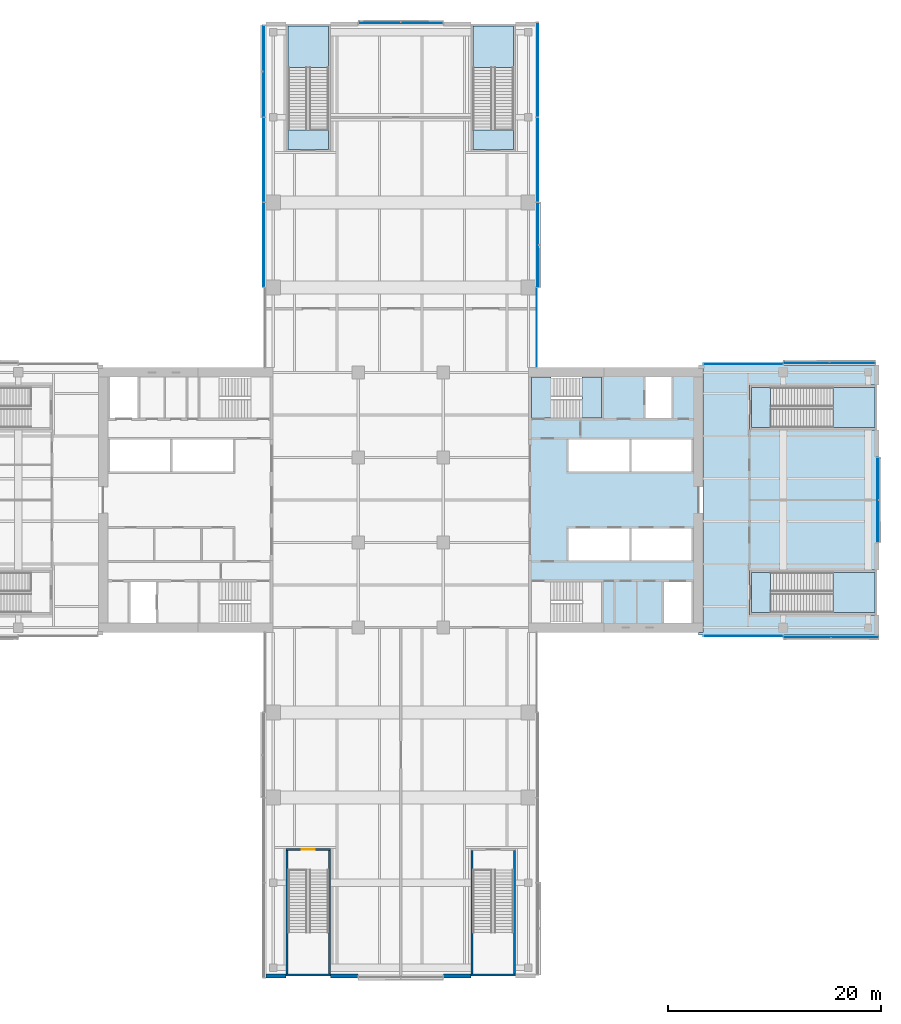
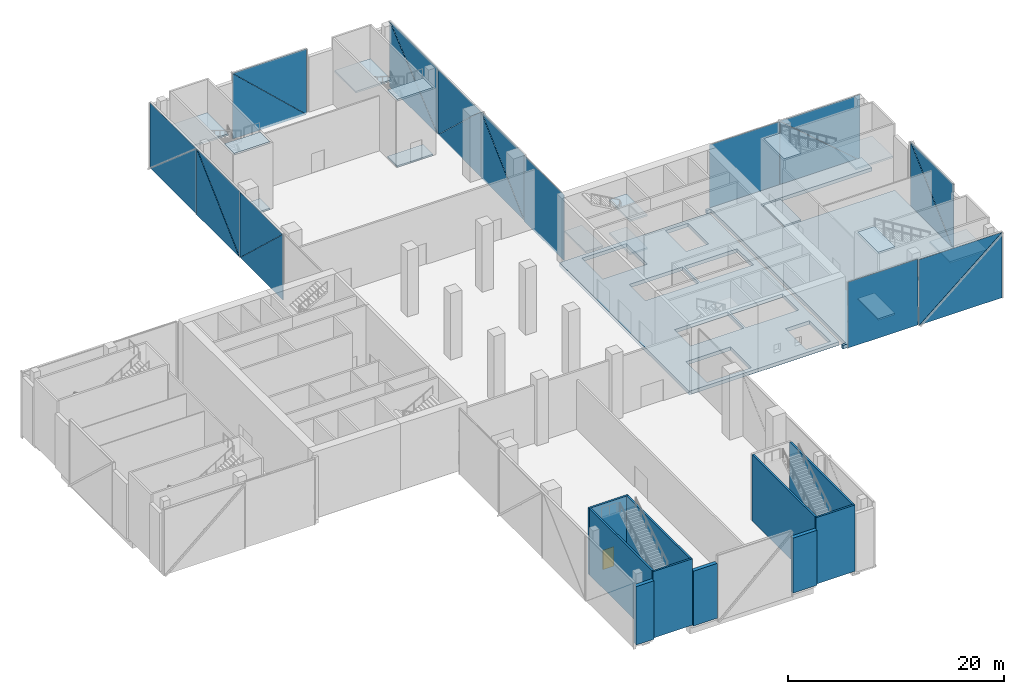
# One storey, part 13 of 25: 23 plates, 17 slabs, 10 walls, 1 door, 1 opening, 14 elements without a shape of their own.
"""IFC4 building model written with IfcOpenShell, lengths in metres."""

from ifc_helpers import new_model, si_unit, direction, frame, frame_2d, origin, place, context, subcontext, project, spatial, polyline, rectangle, outline, extrude, material, layer, layer_set, type_object, element, fill, aggregate, save


model = new_model("IFC4")

# Units and contexts
model_context = context("Model", 3, precision=1e-05, world=origin(), true_north=direction((0.0, 1.0)))
body_context = subcontext(model_context, "Body", "Model", "MODEL_VIEW")
ifc_project = project(units=[si_unit("LENGTHUNIT", "METRE"), si_unit("AREAUNIT", "SQUARE_METRE"), si_unit("VOLUMEUNIT", "CUBIC_METRE"), si_unit("PLANEANGLEUNIT", "RADIAN"), si_unit("MASSUNIT", "GRAM", prefix="KILO")], contexts=[model_context])

# Site, building, storey
site_placement = place(None, origin())
site = spatial("IfcSite", under=ifc_project, at=site_placement, CompositionType="ELEMENT")
building_placement = place(site_placement, origin())
building = spatial("IfcBuilding", under=site, at=building_placement, Name="Crosswind Convention Tower", CompositionType="ELEMENT")
storey_placement = place(building_placement, frame((0.0, 0.0, 34.0)))
storey = spatial("IfcBuildingStorey", under=building, at=storey_placement, Name="L04", CompositionType="ELEMENT", Elevation=34.0)

# Slabs
ifc_material_1 = material(Name="Concrete C40/50", Category="concrete")
ifc_layer_1 = layer(ifc_material_1, 0.39990234375)
ifc_layer_set_1 = layer_set([ifc_layer_1], Name="Concrete C40/50")
slab_type_1 = type_object("IfcSlabType", Name="Composite floor slab 400", PredefinedType="FLOOR", material=ifc_layer_set_1)
slab_1_placement = place(storey_placement, frame((0.0, 0.0, -0.39990234375)))
element("IfcSlab", 1, at=slab_1_placement, inside=storey, type_object=slab_type_1, Name="Floor slab L04 part 3", PredefinedType="FLOOR", context=body_context, shape_type="SweptSolid", body=[
    extrude(outline(polyline([(169.699951171875, 93.39990234375), (157.800048828125, 93.39990234375), (157.800048828125, 89.199951171875), (169.699951171875, 89.199951171875), (169.699951171875, 88.0), (169.699951171875, 87.300048828125), (169.0, 87.300048828125), (153.0, 87.300048828125), (153.0, 87.550048828125), (153.449951171875, 87.550048828125), (153.449951171875, 112.449951171875), (153.0, 112.449951171875), (153.0, 112.699951171875), (169.0, 112.699951171875), (169.699951171875, 112.699951171875), (169.699951171875, 112.0), (169.699951171875, 110.800048828125), (157.800048828125, 110.800048828125), (157.800048828125, 106.60009765625), (169.699951171875, 106.60009765625), (169.699951171875, 93.39990234375)])), origin(), (0.0, 0.0, 1.0), 0.39990234375),
])
ifc_layer_2 = layer(ifc_material_1, 0.39990234375)
ifc_layer_set_2 = layer_set([ifc_layer_2], Name="Concrete C40/50")
slab_type_2 = type_object("IfcSlabType", Name="Concrete core floor slab 400", PredefinedType="FLOOR", material=ifc_layer_set_2)
slab_2_placement = place(storey_placement, frame((0.0, 0.0, -0.39990234375)))
element("IfcSlab", 2, at=slab_2_placement, inside=storey, type_object=slab_type_2, Name="Core floor slab E L04", PredefinedType="FLOOR", context=body_context, shape_type="SweptSolid", body=[
    extrude(outline(polyline([(137.0, 88.0), (153.0, 88.0), (153.0, 112.0), (137.0, 112.0), (137.0, 88.0)]), holes=[polyline([(146.5, 102.699951171875), (146.5, 105.699951171875), (140.800048828125, 105.699951171875), (140.800048828125, 102.699951171875), (146.5, 102.699951171875)]), polyline([(152.35009765625, 102.699951171875), (152.35009765625, 105.699951171875), (146.699951171875, 105.699951171875), (146.699951171875, 102.699951171875), (152.35009765625, 102.699951171875)]), polyline([(146.5, 94.300048828125), (146.5, 97.300048828125), (140.800048828125, 97.300048828125), (140.800048828125, 94.300048828125), (146.5, 94.300048828125)]), polyline([(152.35009765625, 94.300048828125), (152.35009765625, 97.300048828125), (146.699951171875, 97.300048828125), (146.699951171875, 94.300048828125), (152.35009765625, 94.300048828125)]), polyline([(150.449951171875, 107.699951171875), (150.449951171875, 111.550048828125), (148.050048828125, 111.550048828125), (148.050048828125, 107.699951171875), (150.449951171875, 107.699951171875)]), polyline([(152.35009765625, 88.449951171875), (152.35009765625, 92.300048828125), (149.75, 92.300048828125), (149.75, 88.449951171875), (152.35009765625, 88.449951171875)]), polyline([(143.89990234375, 107.699951171875), (143.89990234375, 111.550048828125), (139.14990234375, 111.550048828125), (139.14990234375, 107.699951171875), (143.89990234375, 107.699951171875)]), polyline([(143.89990234375, 88.449951171875), (143.89990234375, 92.300048828125), (139.14990234375, 92.300048828125), (139.14990234375, 88.449951171875), (143.89990234375, 88.449951171875)])]), origin(), (0.0, 0.0, 1.0), 0.39990234375),
])

# Stair, slabs
stair_type_1 = type_object("IfcStairType", Name="PODIUM EXIT STAIR 7500 RISE", PredefinedType="HALF_TURN_STAIR", material=ifc_material_1)
stair_1_placement = place(storey_placement, origin())
stair_1 = element("IfcStair", 3, at=stair_1_placement, inside=storey, type_object=stair_type_1, Name="Exit stair E1 L04", ObjectType="ST11", PredefinedType="HALF_TURN_STAIR")
ifc_layer_3 = layer(ifc_material_1, 0.199951171875)
ifc_layer_set_3 = layer_set([ifc_layer_3], Name="Concrete C40/50")
slab_type_3 = type_object("IfcSlabType", Name="PODIUM STAIR LANDING 200 FOR 22 RISERS", PredefinedType="LANDING", material=ifc_layer_set_3)
slab_3_placement = place(storey_placement, frame((0.0, 0.0, 3.550048828125)))
slab_3 = element("IfcSlab", 4, at=slab_3_placement, type_object=slab_type_3, Name="ST11 landing 1", PredefinedType="LANDING", context=body_context, shape_type="SweptSolid", body=[
    extrude(outline(polyline([(165.679931640625, 89.39990234375), (169.60009765625, 89.39990234375), (169.60009765625, 93.199951171875), (165.679931640625, 93.199951171875), (165.679931640625, 89.39990234375)])), origin(), (0.0, 0.0, 1.0), 0.199951171875),
])
slab_4_placement = place(storey_placement, frame((0.0, 0.0, -0.199951171875)))
slab_4 = element("IfcSlab", 5, at=slab_4_placement, type_object=slab_type_3, Name="ST11 landing 2", PredefinedType="LANDING", context=body_context, shape_type="SweptSolid", body=[
    extrude(outline(polyline([(158.0, 89.39990234375), (159.800048828125, 89.39990234375), (159.800048828125, 93.199951171875), (158.0, 93.199951171875), (158.0, 89.39990234375)])), origin(), (0.0, 0.0, 1.0), 0.199951171875),
])
slab_5_placement = place(storey_placement, frame((0.0, 0.0, 7.300048828125)))
slab_5 = element("IfcSlab", 6, at=slab_5_placement, type_object=slab_type_3, Name="ST11 landing 3", PredefinedType="LANDING", context=body_context, shape_type="SweptSolid", body=[
    extrude(outline(polyline([(158.0, 89.39990234375), (159.800048828125, 89.39990234375), (159.800048828125, 93.199951171875), (158.0, 93.199951171875), (158.0, 89.39990234375)])), origin(), (0.0, 0.0, 1.0), 0.199951171875),
])
aggregate(stair_1, [slab_3, slab_4, slab_5])

stair_2_placement = place(storey_placement, origin())
stair_2 = element("IfcStair", 7, at=stair_2_placement, inside=storey, type_object=stair_type_1, Name="Exit stair E2 L04", ObjectType="ST11", PredefinedType="HALF_TURN_STAIR")
slab_6_placement = place(storey_placement, frame((0.0, 0.0, 3.550048828125)))
slab_6 = element("IfcSlab", 8, at=slab_6_placement, type_object=slab_type_3, Name="ST11 landing 1", PredefinedType="LANDING", context=body_context, shape_type="SweptSolid", body=[
    extrude(outline(polyline([(165.679931640625, 106.800048828125), (169.60009765625, 106.800048828125), (169.60009765625, 110.60009765625), (165.679931640625, 110.60009765625), (165.679931640625, 106.800048828125)])), origin(), (0.0, 0.0, 1.0), 0.199951171875),
])
slab_7_placement = place(storey_placement, frame((0.0, 0.0, -0.199951171875)))
slab_7 = element("IfcSlab", 9, at=slab_7_placement, type_object=slab_type_3, Name="ST11 landing 2", PredefinedType="LANDING", context=body_context, shape_type="SweptSolid", body=[
    extrude(outline(polyline([(158.0, 106.800048828125), (159.800048828125, 106.800048828125), (159.800048828125, 110.60009765625), (158.0, 110.60009765625), (158.0, 106.800048828125)])), origin(), (0.0, 0.0, 1.0), 0.199951171875),
])
slab_8_placement = place(storey_placement, frame((0.0, 0.0, 7.300048828125)))
slab_8 = element("IfcSlab", 10, at=slab_8_placement, type_object=slab_type_3, Name="ST11 landing 3", PredefinedType="LANDING", context=body_context, shape_type="SweptSolid", body=[
    extrude(outline(polyline([(158.0, 106.800048828125), (159.800048828125, 106.800048828125), (159.800048828125, 110.60009765625), (158.0, 110.60009765625), (158.0, 106.800048828125)])), origin(), (0.0, 0.0, 1.0), 0.199951171875),
])
aggregate(stair_2, [slab_6, slab_7, slab_8])

stair_3_placement = place(storey_placement, origin())
stair_3 = element("IfcStair", 11, at=stair_3_placement, inside=storey, type_object=stair_type_1, Name="Exit stair N1 L04", ObjectType="ST11", PredefinedType="HALF_TURN_STAIR")
slab_9_placement = place(storey_placement, frame((0.0, 0.0, 3.550048828125)))
slab_9 = element("IfcSlab", 12, at=slab_9_placement, type_object=slab_type_3, Name="ST11 landing 1", PredefinedType="LANDING", context=body_context, shape_type="SweptSolid", body=[
    extrude(outline(polyline([(118.199951171875, 140.679931640625), (118.199951171875, 144.60009765625), (114.39990234375, 144.60009765625), (114.39990234375, 140.679931640625), (118.199951171875, 140.679931640625)])), origin(), (0.0, 0.0, 1.0), 0.199951171875),
])
slab_10_placement = place(storey_placement, frame((0.0, 0.0, -0.199951171875)))
slab_10 = element("IfcSlab", 13, at=slab_10_placement, type_object=slab_type_3, Name="ST11 landing 2", PredefinedType="LANDING", context=body_context, shape_type="SweptSolid", body=[
    extrude(outline(polyline([(118.199951171875, 133.0), (118.199951171875, 134.800048828125), (114.39990234375, 134.800048828125), (114.39990234375, 133.0), (118.199951171875, 133.0)])), origin(), (0.0, 0.0, 1.0), 0.199951171875),
])
slab_11_placement = place(storey_placement, frame((0.0, 0.0, 7.300048828125)))
slab_11 = element("IfcSlab", 14, at=slab_11_placement, type_object=slab_type_3, Name="ST11 landing 3", PredefinedType="LANDING", context=body_context, shape_type="SweptSolid", body=[
    extrude(outline(polyline([(118.199951171875, 133.0), (118.199951171875, 134.800048828125), (114.39990234375, 134.800048828125), (114.39990234375, 133.0), (118.199951171875, 133.0)])), origin(), (0.0, 0.0, 1.0), 0.199951171875),
])
aggregate(stair_3, [slab_9, slab_10, slab_11])

stair_4_placement = place(storey_placement, origin())
stair_4 = element("IfcStair", 15, at=stair_4_placement, inside=storey, type_object=stair_type_1, Name="Exit stair N2 L04", ObjectType="ST11", PredefinedType="HALF_TURN_STAIR")
slab_12_placement = place(storey_placement, frame((0.0, 0.0, 3.550048828125)))
slab_12 = element("IfcSlab", 16, at=slab_12_placement, type_object=slab_type_3, Name="ST11 landing 1", PredefinedType="LANDING", context=body_context, shape_type="SweptSolid", body=[
    extrude(outline(polyline([(135.60009765625, 140.679931640625), (135.60009765625, 144.60009765625), (131.800048828125, 144.60009765625), (131.800048828125, 140.679931640625), (135.60009765625, 140.679931640625)])), origin(), (0.0, 0.0, 1.0), 0.199951171875),
])
slab_13_placement = place(storey_placement, frame((0.0, 0.0, -0.199951171875)))
slab_13 = element("IfcSlab", 17, at=slab_13_placement, type_object=slab_type_3, Name="ST11 landing 2", PredefinedType="LANDING", context=body_context, shape_type="SweptSolid", body=[
    extrude(outline(polyline([(135.60009765625, 133.0), (135.60009765625, 134.800048828125), (131.800048828125, 134.800048828125), (131.800048828125, 133.0), (135.60009765625, 133.0)])), origin(), (0.0, 0.0, 1.0), 0.199951171875),
])
slab_14_placement = place(storey_placement, frame((0.0, 0.0, 7.300048828125)))
slab_14 = element("IfcSlab", 18, at=slab_14_placement, type_object=slab_type_3, Name="ST11 landing 3", PredefinedType="LANDING", context=body_context, shape_type="SweptSolid", body=[
    extrude(outline(polyline([(135.60009765625, 133.0), (135.60009765625, 134.800048828125), (131.800048828125, 134.800048828125), (131.800048828125, 133.0), (135.60009765625, 133.0)])), origin(), (0.0, 0.0, 1.0), 0.199951171875),
])
aggregate(stair_4, [slab_12, slab_13, slab_14])

stair_type_2 = type_object("IfcStairType", Name="Exit stair 1800 wide, 4 flights of 11 risers", PredefinedType="HALF_TURN_STAIR", material=ifc_material_1)
stair_5_placement = place(storey_placement, origin())
stair_5 = element("IfcStair", 19, at=stair_5_placement, inside=storey, type_object=stair_type_2, Name="Exit stair ST1 L04", ObjectType="ST6", PredefinedType="HALF_TURN_STAIR")
ifc_layer_4 = layer(ifc_material_1, 0.199951171875)
ifc_layer_set_4 = layer_set([ifc_layer_4], Name="Concrete C40/50")
slab_type_4 = type_object("IfcSlabType", Name="Stair landing 200", PredefinedType="LANDING", material=ifc_layer_set_4)
slab_15_placement = place(storey_placement, frame((0.0, 0.0, 1.675048828125)))
slab_15 = element("IfcSlab", 20, at=slab_15_placement, type_object=slab_type_4, Name="ST1 landing 1", PredefinedType="LANDING", context=body_context, shape_type="SweptSolid", body=[
    extrude(outline(polyline([(143.89990234375, 107.699951171875), (143.89990234375, 111.550048828125), (142.050048828125, 111.550048828125), (142.050048828125, 107.699951171875), (143.89990234375, 107.699951171875)])), origin(), (0.0, 0.0, 1.0), 0.199951171875),
])
slab_16_placement = place(storey_placement, frame((0.0, 0.0, 3.550048828125)))
slab_16 = element("IfcSlab", 21, at=slab_16_placement, type_object=slab_type_4, Name="ST1 landing 2", PredefinedType="LANDING", context=body_context, shape_type="SweptSolid", body=[
    extrude(outline(polyline([(139.14990234375, 107.699951171875), (139.14990234375, 111.550048828125), (137.300048828125, 111.550048828125), (137.300048828125, 107.699951171875), (139.14990234375, 107.699951171875)])), origin(), (0.0, 0.0, 1.0), 0.199951171875),
])
slab_17_placement = place(storey_placement, frame((0.0, 0.0, 5.425048828125)))
slab_17 = element("IfcSlab", 22, at=slab_17_placement, type_object=slab_type_4, Name="ST1 landing 3", PredefinedType="LANDING", context=body_context, shape_type="SweptSolid", body=[
    extrude(outline(polyline([(143.89990234375, 107.699951171875), (143.89990234375, 111.550048828125), (142.050048828125, 111.550048828125), (142.050048828125, 107.699951171875), (143.89990234375, 107.699951171875)])), origin(), (0.0, 0.0, 1.0), 0.199951171875),
])
aggregate(stair_5, [slab_15, slab_16, slab_17])

# Curtain wall, plate
ifc_material_2 = material(Name="Aluminium unitised curtain wall", Category="aluminium")
curtain_wall_type_1 = type_object("IfcCurtainWallType", Name="CORE END SLOT WALL 160", PredefinedType="USERDEFINED", material=ifc_material_2)
curtain_wall_1_placement = place(storey_placement, origin())
curtain_wall_1 = element("IfcCurtainWall", 23, at=curtain_wall_1_placement, inside=storey, type_object=curtain_wall_type_1, Name="CW6 L04 E-N.1-2 slot", ObjectType="UNITISED", PredefinedType="USERDEFINED")
ifc_material_3 = material(Name="Laminated insulating glass unit", Category="glass")
ifc_layer_5 = layer(ifc_material_3, 0.02587890625)
ifc_layer_set_5 = layer_set([ifc_layer_5], Name="TRIANGULAR GLASS PANEL 26")
plate_type_1 = type_object("IfcPlateType", Name="TRIANGULAR GLASS PANEL 26", PredefinedType="CURTAIN_PANEL", material=ifc_layer_set_5)
plate_1_placement = place(storey_placement, frame((160.949951171875, 112.807373046875, -0.39990234375), z_axis=(0.0, 0.999999922678, 0.000393249191), x_axis=(-1.0, 0.0, 0.0)))
plate_1 = element("IfcPlate", 24, at=plate_1_placement, type_object=plate_type_1, Name="CW6 panel 1.1", PredefinedType="CURTAIN_PANEL", context=body_context, shape_type="SweptSolid", body=[
    extrude(outline(polyline([(0.0, 0.0), (7.449951171875, 0.0), (7.449951171875, 7.449951747923642), (0.0, 7.449951747923642), (0.0, 0.0)])), origin(), (0.0, 0.0, -1.0), 0.02587890625),
])
aggregate(curtain_wall_1, [plate_1])

curtain_wall_2_placement = place(storey_placement, origin())
curtain_wall_2 = element("IfcCurtainWall", 25, at=curtain_wall_2_placement, inside=storey, type_object=curtain_wall_type_1, Name="CW6 L04 N-E.1-1 slot", ObjectType="UNITISED", PredefinedType="USERDEFINED")
plate_2_placement = place(storey_placement, frame((137.807373046875, 112.5, -0.39990234375), z_axis=(0.999999922678, 0.0, 0.000393249191), x_axis=(0.0, 1.0, 0.0)))
plate_2 = element("IfcPlate", 26, at=plate_2_placement, type_object=plate_type_1, Name="CW6 panel 1.1", PredefinedType="CURTAIN_PANEL", context=body_context, shape_type="SweptSolid", body=[
    extrude(outline(polyline([(0.0, 0.0), (7.449951171875, 0.0), (7.449951171875, 7.449951747923642), (0.0, 7.449951747923642), (0.0, 0.0)])), origin(), (0.0, 0.0, -1.0), 0.02587890625),
])
aggregate(curtain_wall_2, [plate_2])

curtain_wall_3_placement = place(storey_placement, origin())
curtain_wall_3 = element("IfcCurtainWall", 27, at=curtain_wall_3_placement, inside=storey, type_object=curtain_wall_type_1, Name="CW6 L04 E-S.2-1 slot", ObjectType="UNITISED", PredefinedType="USERDEFINED")
plate_3_placement = place(storey_placement, frame((153.5, 87.192626953125, -0.39990234375), z_axis=(0.0, -0.999999922678, 0.000393249191), x_axis=(1.0, 0.0, 0.0)))
plate_3 = element("IfcPlate", 28, at=plate_3_placement, type_object=plate_type_1, Name="CW6 panel 1.1", PredefinedType="CURTAIN_PANEL", context=body_context, shape_type="SweptSolid", body=[
    extrude(outline(polyline([(0.0, 0.0), (7.449951171875, 0.0), (7.449951171875, 7.449951747923642), (0.0, 7.449951747923642), (0.0, 0.0)])), origin(), (0.0, 0.0, -1.0), 0.02587890625),
])
aggregate(curtain_wall_3, [plate_3])

# Curtain wall, plates
curtain_wall_type_2 = type_object("IfcCurtainWallType", Name="PODIUM UNITISED WALL 300", PredefinedType="USERDEFINED", material=ifc_material_2)
curtain_wall_4_placement = place(storey_placement, origin())
curtain_wall_4 = element("IfcCurtainWall", 29, at=curtain_wall_4_placement, inside=storey, type_object=curtain_wall_type_2, Name="CW1 L04 E-TIP 1", ObjectType="UNITISED", PredefinedType="USERDEFINED")
ifc_layer_6 = layer(ifc_material_3, 0.035888671875)
ifc_layer_set_6 = layer_set([ifc_layer_6], Name="TRIANGULAR GLASS PANEL 36")
plate_type_2 = type_object("IfcPlateType", Name="TRIANGULAR GLASS PANEL 36", PredefinedType="CURTAIN_PANEL", material=ifc_layer_set_6)
plate_4_placement = place(storey_placement, frame((169.887451171875, 103.9599609375, -0.39990234375), z_axis=(0.999999921762, 0.0, 0.000395569589), x_axis=(-0.000395569589, 0.0, 0.999999921762)))
plate_4 = element("IfcPlate", 30, at=plate_4_placement, type_object=plate_type_2, Name="CW1 panel 1.1", PredefinedType="CURTAIN_PANEL", context=body_context, shape_type="SweptSolid", body=[
    extrude(outline(polyline([(0.0, 0.0), (7.406250579447663, 0.0), (0.0, 7.9052734375), (0.0, 0.0)])), origin(), (0.0, 0.0, -1.0), 0.035888671875),
])
plate_5_placement = place(storey_placement, frame((169.922607421875, 96.0400390625, 7.02001953125), z_axis=(0.999999921762, 0.0, 0.000395569589), x_axis=(0.000395569589, 0.0, -0.999999921762)))
plate_5 = element("IfcPlate", 31, at=plate_5_placement, type_object=plate_type_2, Name="CW1 panel 1.2", PredefinedType="CURTAIN_PANEL", context=body_context, shape_type="SweptSolid", body=[
    extrude(outline(polyline([(0.0, 0.0), (7.406250579447663, 0.0), (0.0, 7.9052734375), (0.0, 0.0)])), origin(), (0.0, 0.0, -1.0), 0.035888671875),
])
aggregate(curtain_wall_4, [plate_4, plate_5])

curtain_wall_5_placement = place(storey_placement, origin())
curtain_wall_5 = element("IfcCurtainWall", 32, at=curtain_wall_5_placement, inside=storey, type_object=curtain_wall_type_2, Name="CW1 L04 E-N 1", ObjectType="UNITISED", PredefinedType="USERDEFINED")
plate_6_placement = place(storey_placement, frame((161.0400390625, 112.887451171875, -0.39990234375), z_axis=(0.0, 0.999999921773, 0.000395543512), x_axis=(0.0, -0.000395543512, 0.999999921773)))
plate_6 = element("IfcPlate", 33, at=plate_6_placement, type_object=plate_type_2, Name="CW1 panel 1.1", PredefinedType="CURTAIN_PANEL", context=body_context, shape_type="SweptSolid", body=[
    extrude(outline(polyline([(0.0, 0.0), (7.406738860659464, 0.0), (0.0, 8.564697265625), (0.0, 0.0)])), origin(), (0.0, 0.0, -1.0), 0.035888671875),
])
plate_7_placement = place(storey_placement, frame((169.6201171875, 112.922607421875, 7.02001953125), z_axis=(0.0, 0.999999921773, 0.000395543512), x_axis=(0.0, 0.000395543512, -0.999999921773)))
plate_7 = element("IfcPlate", 34, at=plate_7_placement, type_object=plate_type_2, Name="CW1 panel 1.2", PredefinedType="CURTAIN_PANEL", context=body_context, shape_type="SweptSolid", body=[
    extrude(outline(polyline([(0.0, 0.0), (7.406738860659464, 0.0), (0.0, 8.56494140625), (0.0, 0.0)])), origin(), (0.0, 0.0, -1.0), 0.035888671875),
])
aggregate(curtain_wall_5, [plate_6, plate_7])

curtain_wall_6_placement = place(storey_placement, origin())
curtain_wall_6 = element("IfcCurtainWall", 35, at=curtain_wall_6_placement, inside=storey, type_object=curtain_wall_type_2, Name="CW1 L04 N-E 1", ObjectType="UNITISED", PredefinedType="USERDEFINED")
plate_8_placement = place(storey_placement, frame((137.887451171875, 127.9599609375, -0.39990234375), z_axis=(0.999999921762, 0.0, 0.000395569589), x_axis=(-0.000395569589, 0.0, 0.999999921762)))
plate_8 = element("IfcPlate", 36, at=plate_8_placement, type_object=plate_type_2, Name="CW1 panel 1.1", PredefinedType="CURTAIN_PANEL", context=body_context, shape_type="SweptSolid", body=[
    extrude(outline(polyline([(0.0, 0.0), (7.406250579447663, 0.0), (0.0, 7.9052734375), (0.0, 0.0)])), origin(), (0.0, 0.0, -1.0), 0.035888671875),
])
plate_9_placement = place(storey_placement, frame((137.922607421875, 120.0400390625, 7.02001953125), z_axis=(0.999999921762, 0.0, 0.000395569589), x_axis=(0.000395569589, 0.0, -0.999999921762)))
plate_9 = element("IfcPlate", 37, at=plate_9_placement, type_object=plate_type_2, Name="CW1 panel 1.2", PredefinedType="CURTAIN_PANEL", context=body_context, shape_type="SweptSolid", body=[
    extrude(outline(polyline([(0.0, 0.0), (7.406250579447663, 0.0), (0.0, 7.9052734375), (0.0, 0.0)])), origin(), (0.0, 0.0, -1.0), 0.035888671875),
])
plate_10_placement = place(storey_placement, frame((137.884521484375, 135.9599609375, 7.02001953125), z_axis=(0.999999921762, 0.0, 0.000395569589), x_axis=(0.0, -1.0, 0.0)))
plate_10 = element("IfcPlate", 38, at=plate_10_placement, type_object=plate_type_2, Name="CW1 panel 2.1", PredefinedType="CURTAIN_PANEL", context=body_context, shape_type="SweptSolid", body=[
    extrude(outline(polyline([(0.0, 0.0), (7.9052734375, 0.0), (0.0, 7.406250579447663), (0.0, 0.0)])), origin(), (0.0, 0.0, -1.0), 0.035888671875),
])
plate_11_placement = place(storey_placement, frame((137.925537109375, 128.0400390625, -0.39990234375), z_axis=(0.999999921762, 0.0, 0.000395569589), x_axis=(0.0, 1.0, 0.0)))
plate_11 = element("IfcPlate", 39, at=plate_11_placement, type_object=plate_type_2, Name="CW1 panel 2.2", PredefinedType="CURTAIN_PANEL", context=body_context, shape_type="SweptSolid", body=[
    extrude(outline(polyline([(0.0, 0.0), (7.9052734375, 0.0), (0.0, 7.406250579447663), (0.0, 0.0)])), origin(), (0.0, 0.0, -1.0), 0.035888671875),
])
plate_12_placement = place(storey_placement, frame((137.887451171875, 144.905029296875, -0.39990234375), z_axis=(0.999999921778, 0.0, 0.000395530474), x_axis=(-0.000395530474, 0.0, 0.999999921778)))
plate_12 = element("IfcPlate", 40, at=plate_12_placement, type_object=plate_type_2, Name="CW1 panel 3.1", PredefinedType="CURTAIN_PANEL", context=body_context, shape_type="SweptSolid", body=[
    extrude(outline(polyline([(0.0, 0.0), (7.406983001265367, 0.0), (0.0, 8.849365234375002), (0.0, 0.0)])), origin(), (0.0, 0.0, -1.0), 0.035888671875),
])
plate_13_placement = place(storey_placement, frame((137.922607421875, 136.0400390625, 7.02001953125), z_axis=(0.999999921778, 0.0, 0.000395530474), x_axis=(0.000395530474, 0.0, -0.999999921778)))
plate_13 = element("IfcPlate", 41, at=plate_13_placement, type_object=plate_type_2, Name="CW1 panel 3.2", PredefinedType="CURTAIN_PANEL", context=body_context, shape_type="SweptSolid", body=[
    extrude(outline(polyline([(0.0, 0.0), (7.406983001265367, 0.0), (0.0, 8.849365234375002), (0.0, 0.0)])), origin(), (0.0, 0.0, -1.0), 0.035888671875),
])
aggregate(curtain_wall_6, [plate_8, plate_9, plate_10, plate_11, plate_12, plate_13])

curtain_wall_7_placement = place(storey_placement, origin())
curtain_wall_7 = element("IfcCurtainWall", 42, at=curtain_wall_7_placement, inside=storey, type_object=curtain_wall_type_2, Name="CW1 L04 N-TIP 1", ObjectType="UNITISED", PredefinedType="USERDEFINED")
plate_14_placement = place(storey_placement, frame((121.0400390625, 144.887451171875, -0.39990234375), z_axis=(0.0, 0.999999921762, 0.000395569589), x_axis=(0.0, -0.000395569589, 0.999999921762)))
plate_14 = element("IfcPlate", 43, at=plate_14_placement, type_object=plate_type_2, Name="CW1 panel 1.1", PredefinedType="CURTAIN_PANEL", context=body_context, shape_type="SweptSolid", body=[
    extrude(outline(polyline([(0.0, 0.0), (7.406250579447663, 0.0), (0.0, 7.9052734375), (0.0, 0.0)])), origin(), (0.0, 0.0, -1.0), 0.035888671875),
])
plate_15_placement = place(storey_placement, frame((128.9599609375, 144.922607421875, 7.02001953125), z_axis=(0.0, 0.999999921762, 0.000395569589), x_axis=(0.0, 0.000395569589, -0.999999921762)))
plate_15 = element("IfcPlate", 44, at=plate_15_placement, type_object=plate_type_2, Name="CW1 panel 1.2", PredefinedType="CURTAIN_PANEL", context=body_context, shape_type="SweptSolid", body=[
    extrude(outline(polyline([(0.0, 0.0), (7.406250579447663, 0.0), (0.0, 7.9052734375), (0.0, 0.0)])), origin(), (0.0, 0.0, -1.0), 0.035888671875),
])
aggregate(curtain_wall_7, [plate_14, plate_15])

curtain_wall_8_placement = place(storey_placement, origin())
curtain_wall_8 = element("IfcCurtainWall", 45, at=curtain_wall_8_placement, inside=storey, type_object=curtain_wall_type_2, Name="CW1 L04 N-W 1", ObjectType="UNITISED", PredefinedType="USERDEFINED")
plate_16_placement = place(storey_placement, frame((112.112548828125, 136.0400390625, -0.39990234375), z_axis=(-0.999999921773, 0.0, 0.000395543512), x_axis=(0.000395543512, 0.0, 0.999999921773)))
plate_16 = element("IfcPlate", 46, at=plate_16_placement, type_object=plate_type_2, Name="CW1 panel 1.1", PredefinedType="CURTAIN_PANEL", context=body_context, shape_type="SweptSolid", body=[
    extrude(outline(polyline([(0.0, 0.0), (7.406738860659464, 0.0), (0.0, 8.564697265625), (0.0, 0.0)])), origin(), (0.0, 0.0, -1.0), 0.035888671875),
])
plate_17_placement = place(storey_placement, frame((112.077392578125, 144.6201171875, 7.02001953125), z_axis=(-0.999999921773, 0.0, 0.000395543512), x_axis=(-0.000395543512, 0.0, -0.999999921773)))
plate_17 = element("IfcPlate", 47, at=plate_17_placement, type_object=plate_type_2, Name="CW1 panel 1.2", PredefinedType="CURTAIN_PANEL", context=body_context, shape_type="SweptSolid", body=[
    extrude(outline(polyline([(0.0, 0.0), (7.406738860659464, 0.0), (0.0, 8.56494140625), (0.0, 0.0)])), origin(), (0.0, 0.0, -1.0), 0.035888671875),
])
plate_18_placement = place(storey_placement, frame((112.115478515625, 128.0400390625, 7.02001953125), z_axis=(-0.999999921762, 0.0, 0.000395569589), x_axis=(0.0, 1.0, 0.0)))
plate_18 = element("IfcPlate", 48, at=plate_18_placement, type_object=plate_type_2, Name="CW1 panel 2.1", PredefinedType="CURTAIN_PANEL", context=body_context, shape_type="SweptSolid", body=[
    extrude(outline(polyline([(0.0, 0.0), (7.9052734375, 0.0), (0.0, 7.406250579447663), (0.0, 0.0)])), origin(), (0.0, 0.0, -1.0), 0.035888671875),
])
plate_19_placement = place(storey_placement, frame((112.074462890625, 135.9599609375, -0.39990234375), z_axis=(-0.999999921762, 0.0, 0.000395569589), x_axis=(0.0, -1.0, 0.0)))
plate_19 = element("IfcPlate", 49, at=plate_19_placement, type_object=plate_type_2, Name="CW1 panel 2.2", PredefinedType="CURTAIN_PANEL", context=body_context, shape_type="SweptSolid", body=[
    extrude(outline(polyline([(0.0, 0.0), (7.9052734375, 0.0), (0.0, 7.406250579447663), (0.0, 0.0)])), origin(), (0.0, 0.0, -1.0), 0.035888671875),
])
plate_20_placement = place(storey_placement, frame((112.112548828125, 120.0400390625, -0.39990234375), z_axis=(-0.999999921762, 0.0, 0.000395569589), x_axis=(0.000395569589, 0.0, 0.999999921762)))
plate_20 = element("IfcPlate", 50, at=plate_20_placement, type_object=plate_type_2, Name="CW1 panel 3.1", PredefinedType="CURTAIN_PANEL", context=body_context, shape_type="SweptSolid", body=[
    extrude(outline(polyline([(0.0, 0.0), (7.406250579447663, 0.0), (0.0, 7.9052734375), (0.0, 0.0)])), origin(), (0.0, 0.0, -1.0), 0.035888671875),
])
plate_21_placement = place(storey_placement, frame((112.077392578125, 127.9599609375, 7.02001953125), z_axis=(-0.999999921762, 0.0, 0.000395569589), x_axis=(-0.000395569589, 0.0, -0.999999921762)))
plate_21 = element("IfcPlate", 51, at=plate_21_placement, type_object=plate_type_2, Name="CW1 panel 3.2", PredefinedType="CURTAIN_PANEL", context=body_context, shape_type="SweptSolid", body=[
    extrude(outline(polyline([(0.0, 0.0), (7.406250579447663, 0.0), (0.0, 7.9052734375), (0.0, 0.0)])), origin(), (0.0, 0.0, -1.0), 0.035888671875),
])
aggregate(curtain_wall_8, [plate_16, plate_17, plate_18, plate_19, plate_20, plate_21])

curtain_wall_9_placement = place(storey_placement, origin())
curtain_wall_9 = element("IfcCurtainWall", 52, at=curtain_wall_9_placement, inside=storey, type_object=curtain_wall_type_2, Name="CW1 L04 E-S 2", ObjectType="UNITISED", PredefinedType="USERDEFINED")
plate_22_placement = place(storey_placement, frame((169.905029296875, 87.112548828125, -0.39990234375), z_axis=(0.0, -0.999999921778, 0.000395530474), x_axis=(0.0, 0.000395530474, 0.999999921778)))
plate_22 = element("IfcPlate", 53, at=plate_22_placement, type_object=plate_type_2, Name="CW1 panel 1.1", PredefinedType="CURTAIN_PANEL", context=body_context, shape_type="SweptSolid", body=[
    extrude(outline(polyline([(0.0, 0.0), (7.406983001265367, 0.0), (0.0, 8.849365234375002), (0.0, 0.0)])), origin(), (0.0, 0.0, -1.0), 0.035888671875),
])
plate_23_placement = place(storey_placement, frame((161.0400390625, 87.077392578125, 7.02001953125), z_axis=(0.0, -0.999999921778, 0.000395530474), x_axis=(0.0, -0.000395530474, -0.999999921778)))
plate_23 = element("IfcPlate", 54, at=plate_23_placement, type_object=plate_type_2, Name="CW1 panel 1.2", PredefinedType="CURTAIN_PANEL", context=body_context, shape_type="SweptSolid", body=[
    extrude(outline(polyline([(0.0, 0.0), (7.406983001265367, 0.0), (0.0, 8.849365234375002), (0.0, 0.0)])), origin(), (0.0, 0.0, -1.0), 0.035888671875),
])
aggregate(curtain_wall_9, [plate_22, plate_23])

# Walls
ifc_layer_7 = layer(ifc_material_1, 0.199951171875)
ifc_layer_set_7 = layer_set([ifc_layer_7], Name="Concrete C40/50")
wall_type_1 = type_object("IfcWallType", Name="STAIR ENCLOSURE WALL 200", PredefinedType="SOLIDWALL", material=ifc_layer_set_7)
for number, where, z_axis, x_axis, name in (
    (55, (114.199951171875, 55.300048828125, 0.0), (0.0, 0.0, 1.0), (1.0, 0.0, 0.0), "Stair Enclosure Wall 1"),
    (56, (131.60009765625, 55.300048828125, 0.0), (0.0, 0.0, 1.0), (1.0, 0.0, 0.0), "Stair Enclosure Wall 2"),
):
    element("IfcWall", number, at=place(storey_placement, frame(where, z_axis=z_axis, x_axis=x_axis)), inside=storey, type_object=wall_type_1, Name=name, PredefinedType="SOLIDWALL", context=body_context, shape_type="SweptSolid", body=[
        extrude(rectangle(XDim=4.199951171875, YDim=0.199951171875, at=frame_2d((2.10009765625, 0.0))), origin(), (0.0, 0.0, 1.0), 7.5),
    ])

# Wall, opening, door
wall_1_placement = place(storey_placement, frame((114.199951171875, 67.10009765625, 0.0), z_axis=(0.0, 0.0, 1.0), x_axis=(1.0, 0.0, 0.0)))
wall_1 = element("IfcWall", 57, at=wall_1_placement, inside=storey, type_object=wall_type_1, Name="Stair Enclosure Wall 3", PredefinedType="SOLIDWALL", context=body_context, shape_type="SweptSolid", body=[
    extrude(rectangle(XDim=4.199951171875, YDim=0.199951171875, at=frame_2d((2.10009765625, 0.0))), origin(), (0.0, 0.0, 1.0), 7.5),
])
opening_placement = place(wall_1_placement, frame((1.5, 0.0, 0.0)))
opening = element("IfcOpeningElement", 58, at=opening_placement, cuts=wall_1, Name="Opening 04.017", PredefinedType="OPENING", context=body_context, shape_type="SweptSolid", body=[
    extrude(rectangle(XDim=1.199951171875, YDim=2.199951171875, at=frame_2d((0.60009765625, 1.10009765625))), frame((0.0, 0.10986328125, 0.0), z_axis=(0.0, -1.0, 0.0), x_axis=(1.0, 0.0, 0.0)), (0.0, 0.0, 1.0), 0.219970703125),
])
ifc_material_4 = material(Name="Steel fire door", Category="steel")
door_type = type_object("IfcDoorType", Name="STAIR DOOR 1200X2200", OperationType="NOTDEFINED", PredefinedType="DOOR", material=ifc_material_4)
door_placement = place(opening_placement, frame((1.199951171875, 0.0, 0.0), z_axis=(0.0, 0.0, 1.0), x_axis=(-1.0, 0.0, 0.0)))
door = element("IfcDoor", 59, at=door_placement, inside=storey, type_object=door_type, Name="Door 04.017", ObjectType="D4", OperationType="SINGLE_SWING_LEFT", OverallHeight=2.199951171875, OverallWidth=1.199951171875, PredefinedType="DOOR", context=body_context, shape_type="SweptSolid", body=[
    extrude(rectangle(XDim=1.199951171875, YDim=2.199951171875, at=frame_2d((0.60009765625, 1.10009765625))), frame((0.0, 0.02490234375, 0.0), z_axis=(0.0, -1.0, 0.0), x_axis=(1.0, 0.0, 0.0)), (0.0, 0.0, 1.0), 0.050048828125),
])
fill(opening, door)

# Walls
for number, where, z_axis, x_axis, name in (
    (60, (114.300048828125, 55.39990234375, 0.0), (0.0, 0.0, 1.0), (0.0, 1.0, 0.0), "Stair Enclosure Wall 30"),
    (61, (118.300048828125, 55.39990234375, 0.0), (0.0, 0.0, 1.0), (0.0, 1.0, 0.0), "Stair Enclosure Wall 32"),
    (62, (131.699951171875, 55.39990234375, 0.0), (0.0, 0.0, 1.0), (0.0, 1.0, 0.0), "Stair Enclosure Wall 35"),
    (63, (135.699951171875, 55.39990234375, 0.0), (0.0, 0.0, 1.0), (0.0, 1.0, 0.0), "Stair Enclosure Wall 37"),
):
    element("IfcWall", number, at=place(storey_placement, frame(where, z_axis=z_axis, x_axis=x_axis)), inside=storey, type_object=wall_type_1, Name=name, PredefinedType="SOLIDWALL", context=body_context, shape_type="SweptSolid", body=[
        extrude(rectangle(XDim=11.60009765625, YDim=0.199951171875, at=frame_2d((5.800048828125, 0.0))), origin(), (0.0, 0.0, 1.0), 7.5),
    ])
ifc_material_5 = material(Name="Terracotta rainscreen", Category="ceramic")
ifc_layer_8 = layer(ifc_material_5, 0.02001953125)
ifc_material_6 = material(Name="Mineral wool insulation", Category="insulation")
ifc_layer_9 = layer(ifc_material_6, 0.10009765625)
ifc_material_7 = material(Name="Concrete blockwork", Category="masonry")
ifc_layer_10 = layer(ifc_material_7, 0.280029296875)
ifc_layer_set_8 = layer_set([ifc_layer_8, ifc_layer_9, ifc_layer_10], Name="TERRACOTTA INFILL WALL 400")
wall_type_2 = type_object("IfcWallType", Name="TERRACOTTA INFILL WALL 400", PredefinedType="SOLIDWALL", material=ifc_layer_set_8)
wall_2_placement = place(storey_placement, frame((112.300048828125, 55.215087890625, 0.0), z_axis=(0.0, 0.0, 1.0), x_axis=(1.0, 0.0, 0.0)))
element("IfcWall", 64, at=wall_2_placement, inside=storey, type_object=wall_type_2, Name="Stair enclosure side wall L04 S-TIP.1-1.1", PredefinedType="SOLIDWALL", context=body_context, shape_type="SweptSolid", body=[
    extrude(rectangle(XDim=1.89990234375, YDim=0.39990234375, at=frame_2d((0.949951171875, 0.0))), origin(), (0.0, 0.0, 1.0), 6.60009765625),
])
for number, where, z_axis, x_axis, name in (
    (65, (118.39990234375, 55.215087890625, 0.0), (0.0, 0.0, 1.0), (1.0, 0.0, 0.0), "Stair enclosure side wall L04 S-TIP.1-1.2"),
    (66, (129.0400390625, 55.215087890625, 0.0), (0.0, 0.0, 1.0), (1.0, 0.0, 0.0), "Stair enclosure side wall L04 S-TIP.1-3.1"),
):
    element("IfcWall", number, at=place(storey_placement, frame(where, z_axis=z_axis, x_axis=x_axis)), inside=storey, type_object=wall_type_2, Name=name, PredefinedType="SOLIDWALL", context=body_context, shape_type="SweptSolid", body=[
        extrude(rectangle(XDim=2.56005859375, YDim=0.39990234375, at=frame_2d((1.280029296875, 0.0))), origin(), (0.0, 0.0, 1.0), 6.199951171875),
    ])

save(model, "model.ifc")
